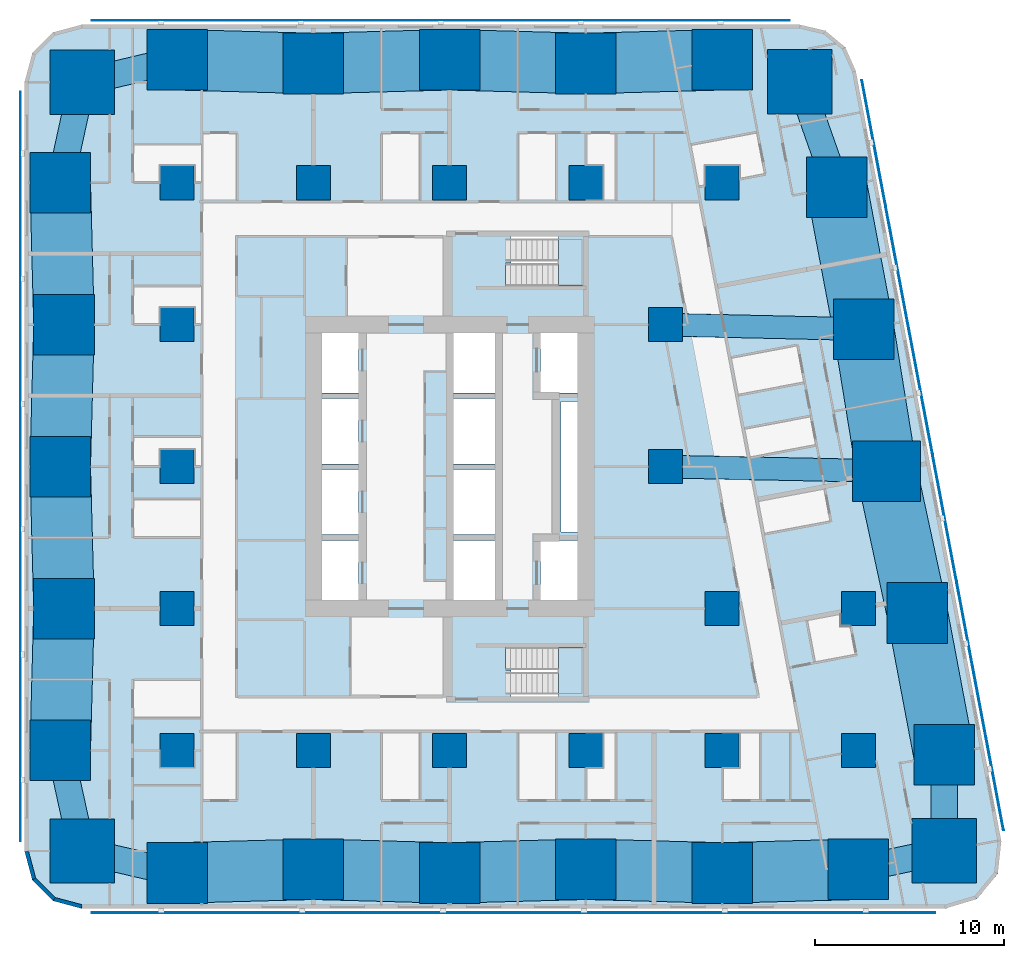
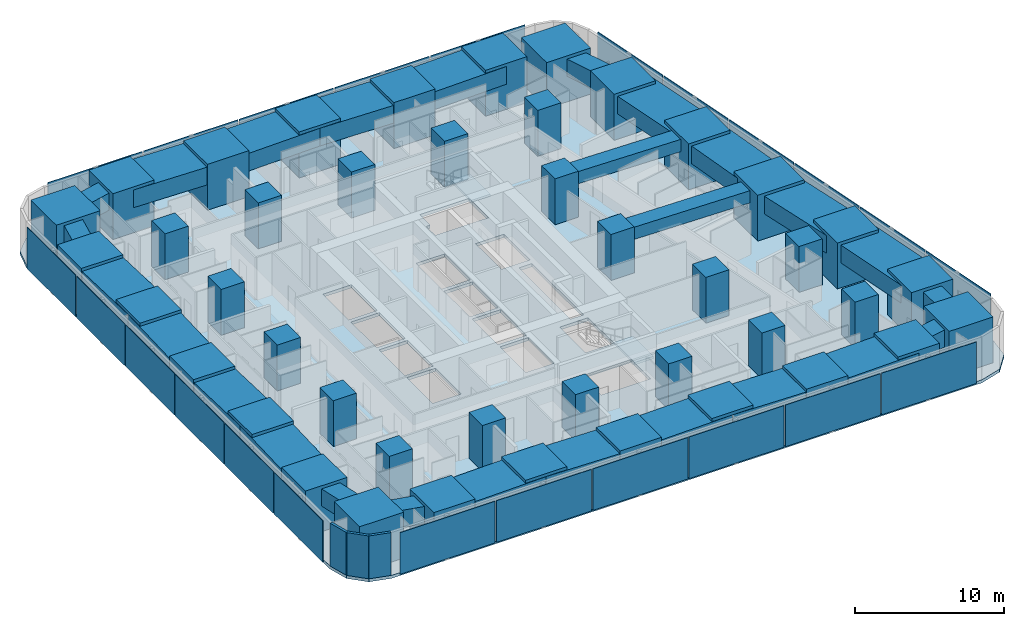
# One storey, part 1 of 17: 43 columns, 26 beams, 23 plates, 3 slabs, 3 walls, 2 elements without a shape of their own.
"""IFC4 building model written with IfcOpenShell, lengths in metres."""

from ifc_helpers import new_model, si_unit, direction, frame, frame_2d, origin, origin_2d, place, context, subcontext, project, spatial, polyline, rectangle, hollow_rectangle, outline, extrude, material, layer, layer_set, material_profile, profile_set, type_object, element, aggregate, save


model = new_model("IFC4")

# Units and contexts
model_context = context("Model", 3, precision=1e-05, world=origin(), true_north=direction((0.0, 1.0)))
body_context = subcontext(model_context, "Body", "Model", "MODEL_VIEW")
ifc_project = project(units=[si_unit("LENGTHUNIT", "METRE"), si_unit("AREAUNIT", "SQUARE_METRE"), si_unit("VOLUMEUNIT", "CUBIC_METRE"), si_unit("PLANEANGLEUNIT", "RADIAN"), si_unit("MASSUNIT", "GRAM", prefix="KILO")], contexts=[model_context])

# Site, building, storey
site_placement = place(None, origin())
site = spatial("IfcSite", under=ifc_project, at=site_placement, CompositionType="ELEMENT")
building_placement = place(site_placement, origin())
building = spatial("IfcBuilding", under=site, at=building_placement, Name="Sheger Commons Tower", CompositionType="ELEMENT")
storey_placement = place(building_placement, frame((0.0, 0.0, 23.75)))
storey = spatial("IfcBuildingStorey", under=building, at=storey_placement, Name="L05", CompositionType="ELEMENT", Elevation=23.75)

# Columns
ifc_material_1 = material(Name="Concrete C50/60", Category="concrete")
ifc_material_profile_1 = material_profile(ifc_material_1, rectangle(XDim=3.60009765625, YDim=3.199951171875, at=origin_2d()), Name="RC 3600x3200")
ifc_profile_set_1 = profile_set([ifc_material_profile_1], Name="Concrete C50/60")
column_type_1 = type_object("IfcColumnType", Name="COLUMN PIER RC 3600x3200", PredefinedType="COLUMN", material=ifc_profile_set_1)
column_placement = place(storey_placement, frame((44.697021484375, 22.262939453125, 0.0), z_axis=(0.0, 0.0, 1.0), x_axis=(1.0, 0.0, 0.0)))
element("IfcColumn", 1, at=column_placement, inside=storey, type_object=column_type_1, Name="Pier 7/D+E/D L05", PredefinedType="COLUMN", context=body_context, shape_type="SweptSolid", body=[
    extrude(rectangle(XDim=3.60009765625, YDim=3.199951171875, at=origin_2d()), origin(), (0.0, 0.0, 1.0), 3.75),
])
ifc_material_2 = material(Name="Concrete C50/60", Category="concrete")
ifc_material_profile_2 = material_profile(ifc_material_2, rectangle(XDim=1.800048828125, YDim=1.800048828125, at=origin_2d()), Name="RC 1800x1800")
ifc_profile_set_2 = profile_set([ifc_material_profile_2], Name="Concrete C50/60")
column_type_2 = type_object("IfcColumnType", Name="COLUMN RC 1800x1800", PredefinedType="COLUMN", material=ifc_profile_set_2)
for number, where, z_axis, x_axis, name in (
    (2, (7.199951171875, 7.5, 0.0), (0.0, 0.0, 1.0), (1.0, 0.0, 0.0), "Column 2/B L05"),
    (3, (14.39990234375, 7.5, 0.0), (0.0, 0.0, 1.0), (1.0, 0.0, 0.0), "Column 3/B L05"),
    (4, (21.60009765625, 7.5, 0.0), (0.0, 0.0, 1.0), (1.0, 0.0, 0.0), "Column 4/B L05"),
    (5, (28.800048828125, 7.5, 0.0), (0.0, 0.0, 1.0), (1.0, 0.0, 0.0), "Column 5/B L05"),
    (6, (36.0, 7.5, 0.0), (0.0, 0.0, 1.0), (1.0, 0.0, 0.0), "Column 6/B L05"),
    (7, (43.199951171875, 7.5, 0.0), (0.0, 0.0, 1.0), (1.0, 0.0, 0.0), "Column 7/B L05"),
    (8, (7.199951171875, 15.0, 0.0), (0.0, 0.0, 1.0), (1.0, 0.0, 0.0), "Column 2/C L05"),
    (9, (36.0, 15.0, 0.0), (0.0, 0.0, 1.0), (1.0, 0.0, 0.0), "Column 6/C L05"),
    (10, (43.199951171875, 15.0, 0.0), (0.0, 0.0, 1.0), (1.0, 0.0, 0.0), "Column 7/C L05"),
    (11, (7.199951171875, 22.5, 0.0), (0.0, 0.0, 1.0), (1.0, 0.0, 0.0), "Column 2/D L05"),
    (12, (33.0, 22.5, 0.0), (0.0, 0.0, 1.0), (1.0, 0.0, 0.0), "Column 6-3000/D L05"),
    (13, (7.199951171875, 30.0, 0.0), (0.0, 0.0, 1.0), (1.0, 0.0, 0.0), "Column 2/E L05"),
    (14, (33.0, 30.0, 0.0), (0.0, 0.0, 1.0), (1.0, 0.0, 0.0), "Column 6-3000/E L05"),
    (15, (7.199951171875, 37.5, 0.0), (0.0, 0.0, 1.0), (1.0, 0.0, 0.0), "Column 2/F L05"),
    (16, (14.39990234375, 37.5, 0.0), (0.0, 0.0, 1.0), (1.0, 0.0, 0.0), "Column 3/F L05"),
    (17, (21.60009765625, 37.5, 0.0), (0.0, 0.0, 1.0), (1.0, 0.0, 0.0), "Column 4/F L05"),
    (18, (28.800048828125, 37.5, 0.0), (0.0, 0.0, 1.0), (1.0, 0.0, 0.0), "Column 5/F L05"),
    (19, (36.0, 37.5, 0.0), (0.0, 0.0, 1.0), (1.0, 0.0, 0.0), "Column 6/F L05"),
):
    element("IfcColumn", number, at=place(storey_placement, frame(where, z_axis=z_axis, x_axis=x_axis)), inside=storey, type_object=column_type_2, Name=name, PredefinedType="COLUMN", context=body_context, shape_type="SweptSolid", body=[
        extrude(rectangle(XDim=1.800048828125, YDim=1.800048828125, at=origin_2d()), origin(), (0.0, 0.0, 1.0), 3.75),
    ])
ifc_material_3 = material(Name="Concrete C50/60", Category="concrete")
ifc_material_profile_3 = material_profile(ifc_material_3, rectangle(XDim=3.199951171875, YDim=3.199951171875, at=origin_2d()), Name="RC 3200x3200")
ifc_profile_set_3 = profile_set([ifc_material_profile_3], Name="Concrete C50/60")
column_type_3 = type_object("IfcColumnType", Name="COLUMN RC 3200x3200", PredefinedType="COLUMN", material=ifc_profile_set_3)
for number, where, z_axis, x_axis, name in (
    (20, (7.199951171875, 1.02490234375, 0.0), (0.0, 0.0, 1.0), (1.0, 0.0, 0.0), "Column 2/A L05"),
    (21, (14.39990234375, 1.22509765625, 0.0), (0.0, 0.0, 1.0), (1.0, 0.0, 0.0), "Column 3/A L05"),
    (22, (21.60009765625, 1.02490234375, 0.0), (0.0, 0.0, 1.0), (1.0, 0.0, 0.0), "Column 4/A L05"),
    (23, (28.800048828125, 1.22509765625, 0.0), (0.0, 0.0, 1.0), (1.0, 0.0, 0.0), "Column 5/A L05"),
    (24, (36.0, 1.02490234375, 0.0), (0.0, 0.0, 1.0), (1.0, 0.0, 0.0), "Column 6/A L05"),
    (25, (43.199951171875, 1.22509765625, 0.0), (0.0, 0.0, 1.0), (1.0, 0.0, 0.0), "Column 7/A L05"),
    (26, (1.02490234375, 7.5, 0.0), (0.0, 0.0, 1.0), (1.0, 0.0, 0.0), "Column 1/B L05"),
    (27, (47.72998046875, 7.262939453125, 0.0), (0.0, 0.0, 1.0), (1.0, 0.0, 0.0), "Column E/B L05"),
    (28, (1.22509765625, 15.0, 0.0), (0.0, 0.0, 1.0), (1.0, 0.0, 0.0), "Column 1/C L05"),
    (29, (46.31396484375, 14.762939453125, 0.0), (0.0, 0.0, 1.0), (1.0, 0.0, 0.0), "Column E/C L05"),
    (30, (1.02490234375, 22.5, 0.0), (0.0, 0.0, 1.0), (1.0, 0.0, 0.0), "Column 1/D L05"),
    (31, (1.22509765625, 30.0, 0.0), (0.0, 0.0, 1.0), (1.0, 0.0, 0.0), "Column 1/E L05"),
    (32, (43.47998046875, 29.762939453125, 0.0), (0.0, 0.0, 1.0), (1.0, 0.0, 0.0), "Column E/E L05"),
    (33, (1.02490234375, 37.5, 0.0), (0.0, 0.0, 1.0), (1.0, 0.0, 0.0), "Column 1/F L05"),
    (34, (42.06396484375, 37.262939453125, 0.0), (0.0, 0.0, 1.0), (1.0, 0.0, 0.0), "Column E/F L05"),
    (35, (7.199951171875, 44.0, 0.0), (0.0, 0.0, 1.0), (1.0, 0.0, 0.0), "Column 2/G L05"),
    (36, (14.39990234375, 43.800048828125, 0.0), (0.0, 0.0, 1.0), (1.0, 0.0, 0.0), "Column 3/G L05"),
    (37, (21.60009765625, 44.0, 0.0), (0.0, 0.0, 1.0), (1.0, 0.0, 0.0), "Column 4/G L05"),
    (38, (28.800048828125, 43.800048828125, 0.0), (0.0, 0.0, 1.0), (1.0, 0.0, 0.0), "Column 5/G L05"),
    (39, (36.0, 44.0, 0.0), (0.0, 0.0, 1.0), (1.0, 0.0, 0.0), "Column 6/G L05"),
):
    element("IfcColumn", number, at=place(storey_placement, frame(where, z_axis=z_axis, x_axis=x_axis)), inside=storey, type_object=column_type_3, Name=name, PredefinedType="COLUMN", context=body_context, shape_type="SweptSolid", body=[
        extrude(rectangle(XDim=3.199951171875, YDim=3.199951171875, at=origin_2d()), origin(), (0.0, 0.0, 1.0), 3.75),
    ])
ifc_material_4 = material(Name="Concrete C50/60", Category="concrete")
ifc_material_profile_4 = material_profile(ifc_material_4, rectangle(XDim=3.39990234375, YDim=3.39990234375, at=origin_2d()), Name="RC 3400x3400")
ifc_profile_set_4 = profile_set([ifc_material_profile_4], Name="Concrete C50/60")
column_type_4 = type_object("IfcColumnType", Name="COLUMN RC 3400x3400", PredefinedType="COLUMN", material=ifc_profile_set_4)
for number, where, z_axis, x_axis, name in (
    (40, (2.18603515625, 2.18603515625, 0.0), (0.0, 0.0, 1.0), (1.0, 0.0, 0.0), "Column 0.630,0.630 L05"),
    (41, (47.748046875, 2.197021484375, 0.0), (0.0, 0.0, 1.0), (1.0, 0.0, 0.0), "Column 49.461,0.778 L05"),
    (42, (2.18603515625, 42.81396484375, 0.0), (0.0, 0.0, 1.0), (1.0, 0.0, 0.0), "Column 0.630,44.370 L05"),
    (43, (40.10205078125, 42.830078125, 0.0), (0.0, 0.0, 1.0), (1.0, 0.0, 0.0), "Column 41.490,44.505 L05"),
):
    element("IfcColumn", number, at=place(storey_placement, frame(where, z_axis=z_axis, x_axis=x_axis)), inside=storey, type_object=column_type_4, Name=name, PredefinedType="COLUMN", context=body_context, shape_type="SweptSolid", body=[
        extrude(rectangle(XDim=3.39990234375, YDim=3.39990234375, at=origin_2d()), origin(), (0.0, 0.0, 1.0), 3.75),
    ])

# Beams
ifc_material_5 = material(Name="Concrete C50/60", Category="concrete")
ifc_material_profile_5 = material_profile(ifc_material_5, rectangle(XDim=1.199951171875, YDim=1.0, at=origin_2d()), Name="RC 1200x1000")
ifc_profile_set_5 = profile_set([ifc_material_profile_5], Name="Concrete C50/60")
beam_type_1 = type_object("IfcBeamType", Name="BEAM RC 1200x1000", PredefinedType="BEAM", material=ifc_profile_set_5)
beam_1_placement = place(storey_placement, frame((33.0, 22.5, 3.0), z_axis=(0.999794692776, -0.02026258368, 0.0), x_axis=(0.02026258368, 0.999794692776, 0.0)))
element("IfcBeam", 44, at=beam_1_placement, inside=storey, type_object=beam_type_1, Name="Beam 6-3000/D-7/D under L06", PredefinedType="BEAM", context=body_context, shape_type="SweptSolid", body=[
    extrude(rectangle(XDim=1.199951171875, YDim=1.0, at=origin_2d()), origin(), (0.0, 0.0, 1.0), 11.699462890625),
])
beam_2_placement = place(storey_placement, frame((33.0, 30.0, 3.0), z_axis=(0.999744258625, -0.022614538395, 0.0), x_axis=(0.022614538395, 0.999744258625, 0.0)))
element("IfcBeam", 45, at=beam_2_placement, inside=storey, type_object=beam_type_1, Name="Beam 6-3000/E-E/E under L06", PredefinedType="BEAM", context=body_context, shape_type="SweptSolid", body=[
    extrude(rectangle(XDim=1.199951171875, YDim=1.0, at=origin_2d()), origin(), (0.0, 0.0, 1.0), 10.482666015625),
])
ifc_material_6 = material(Name="Concrete C50/60", Category="concrete")
ifc_material_profile_6 = material_profile(ifc_material_6, rectangle(XDim=3.199951171875, YDim=1.449951171875, at=origin_2d()), Name="RC 3200x1450")
ifc_profile_set_6 = profile_set([ifc_material_profile_6], Name="Concrete C50/60")
beam_type_2 = type_object("IfcBeamType", Name="SPANDREL RC 3200x1450", PredefinedType="SPANDREL", material=ifc_profile_set_6)
beam_3_placement = place(storey_placement, frame((7.199951171875, 1.02490234375, 2.77490234375), z_axis=(0.9996136624, 0.027794350926, 0.0), x_axis=(-0.027794350926, 0.9996136624, 0.0)))
element("IfcBeam", 46, at=beam_3_placement, inside=storey, type_object=beam_type_2, Name="Beam 2/A-3/A under L06", PredefinedType="SPANDREL", context=body_context, shape_type="SweptSolid", body=[
    extrude(rectangle(XDim=3.199951171875, YDim=1.449951171875, at=origin_2d()), origin(), (0.0, 0.0, 1.0), 7.20263671875),
])
beam_4_placement = place(storey_placement, frame((14.39990234375, 1.22509765625, 2.77490234375), z_axis=(0.999613688584, -0.027793409217, 0.0), x_axis=(0.027793409217, 0.999613688584, 0.0)))
element("IfcBeam", 47, at=beam_4_placement, inside=storey, type_object=beam_type_2, Name="Beam 3/A-4/A under L06", PredefinedType="SPANDREL", context=body_context, shape_type="SweptSolid", body=[
    extrude(rectangle(XDim=3.199951171875, YDim=1.449951171875, at=origin_2d()), origin(), (0.0, 0.0, 1.0), 7.202880859375),
])
for number, where, z_axis, x_axis, name in (
    (48, (21.60009765625, 1.02490234375, 2.77490234375), (0.9996136624, 0.027794350926, 0.0), (-0.027794350926, 0.9996136624, 0.0), "Beam 4/A-5/A under L06"),
    (49, (28.800048828125, 1.22509765625, 2.77490234375), (0.9996136624, -0.027794350926, 0.0), (0.027794350926, 0.9996136624, 0.0), "Beam 5/A-6/A under L06"),
    (50, (36.0, 1.02490234375, 2.77490234375), (0.9996136624, 0.027794350926, 0.0), (-0.027794350926, 0.9996136624, 0.0), "Beam 6/A-7/A under L06"),
):
    element("IfcBeam", number, at=place(storey_placement, frame(where, z_axis=z_axis, x_axis=x_axis)), inside=storey, type_object=beam_type_2, Name=name, PredefinedType="SPANDREL", context=body_context, shape_type="SweptSolid", body=[
        extrude(rectangle(XDim=3.199951171875, YDim=1.449951171875, at=origin_2d()), origin(), (0.0, 0.0, 1.0), 7.20263671875),
    ])
beam_5_placement = place(storey_placement, frame((47.72998046875, 7.262939453125, 2.77490234375), z_axis=(-0.18552441405, 0.982639655108, 0.0), x_axis=(-0.982639655108, -0.18552441405, 0.0)))
element("IfcBeam", 51, at=beam_5_placement, inside=storey, type_object=beam_type_2, Name="Beam E/B-E/C under L06", PredefinedType="SPANDREL", context=body_context, shape_type="SweptSolid", body=[
    extrude(rectangle(XDim=3.199951171875, YDim=1.449951171875, at=origin_2d()), origin(), (0.0, 0.0, 1.0), 7.632568359375),
])
beam_6_placement = place(storey_placement, frame((46.31396484375, 14.762939453125, 2.77490234375), z_axis=(-0.210750229323, 0.977539943348, 0.0), x_axis=(-0.977539943348, -0.210750229323, 0.0)))
element("IfcBeam", 52, at=beam_6_placement, inside=storey, type_object=beam_type_2, Name="Beam E/C-E/D under L06", PredefinedType="SPANDREL", context=body_context, shape_type="SweptSolid", body=[
    extrude(rectangle(XDim=3.199951171875, YDim=1.449951171875, at=origin_2d()), origin(), (0.0, 0.0, 1.0), 7.67236328125),
])
beam_7_placement = place(storey_placement, frame((44.697021484375, 22.262939453125, 2.77490234375), z_axis=(-0.160176929512, 0.987088319884, 0.0), x_axis=(-0.987088319884, -0.160176929512, 0.0)))
element("IfcBeam", 53, at=beam_7_placement, inside=storey, type_object=beam_type_2, Name="Beam E/D-E/E under L06", PredefinedType="SPANDREL", context=body_context, shape_type="SweptSolid", body=[
    extrude(rectangle(XDim=3.199951171875, YDim=1.449951171875, at=origin_2d()), origin(), (0.0, 0.0, 1.0), 7.59814453125),
])
beam_8_placement = place(storey_placement, frame((43.47998046875, 29.762939453125, 2.77490234375), z_axis=(-0.18552441405, 0.982639655108, 0.0), x_axis=(-0.982639655108, -0.18552441405, 0.0)))
element("IfcBeam", 54, at=beam_8_placement, inside=storey, type_object=beam_type_2, Name="Beam E/E-E/F under L06", PredefinedType="SPANDREL", context=body_context, shape_type="SweptSolid", body=[
    extrude(rectangle(XDim=3.199951171875, YDim=1.449951171875, at=origin_2d()), origin(), (0.0, 0.0, 1.0), 7.632568359375),
])
for number, where, z_axis, x_axis, name in (
    (55, (36.0, 44.0, 2.77490234375), (-0.999614603568, -0.027760481514, 0.0), (0.027760481514, -0.999614603568, 0.0), "Beam 6/G-5/G under L06"),
    (56, (28.800048828125, 43.800048828125, 2.77490234375), (-0.999614603568, 0.027760481514, 0.0), (-0.027760481514, -0.999614603568, 0.0), "Beam 5/G-4/G under L06"),
):
    element("IfcBeam", number, at=place(storey_placement, frame(where, z_axis=z_axis, x_axis=x_axis)), inside=storey, type_object=beam_type_2, Name=name, PredefinedType="SPANDREL", context=body_context, shape_type="SweptSolid", body=[
        extrude(rectangle(XDim=3.199951171875, YDim=1.449951171875, at=origin_2d()), origin(), (0.0, 0.0, 1.0), 7.20263671875),
    ])
beam_9_placement = place(storey_placement, frame((21.60009765625, 44.0, 2.77490234375), z_axis=(-0.999614629688, -0.027759540951, 0.0), x_axis=(0.027759540951, -0.999614629688, 0.0)))
element("IfcBeam", 57, at=beam_9_placement, inside=storey, type_object=beam_type_2, Name="Beam 4/G-3/G under L06", PredefinedType="SPANDREL", context=body_context, shape_type="SweptSolid", body=[
    extrude(rectangle(XDim=3.199951171875, YDim=1.449951171875, at=origin_2d()), origin(), (0.0, 0.0, 1.0), 7.202880859375),
])
beam_10_placement = place(storey_placement, frame((14.39990234375, 43.800048828125, 2.77490234375), z_axis=(-0.999614603568, 0.027760481514, 0.0), x_axis=(-0.027760481514, -0.999614603568, 0.0)))
element("IfcBeam", 58, at=beam_10_placement, inside=storey, type_object=beam_type_2, Name="Beam 3/G-2/G under L06", PredefinedType="SPANDREL", context=body_context, shape_type="SweptSolid", body=[
    extrude(rectangle(XDim=3.199951171875, YDim=1.449951171875, at=origin_2d()), origin(), (0.0, 0.0, 1.0), 7.20263671875),
])
for number, where, z_axis, x_axis, name in (
    (59, (1.02490234375, 37.5, 2.77490234375), (0.026683204125, -0.999643939919, 0.0), (0.999643939919, 0.026683204125, 0.0), "Beam 1/F-1/E under L06"),
    (60, (1.22509765625, 30.0, 2.77490234375), (-0.026683204125, -0.999643939919, 0.0), (0.999643939919, -0.026683204125, 0.0), "Beam 1/E-1/D under L06"),
    (61, (1.02490234375, 22.5, 2.77490234375), (0.026683204125, -0.999643939919, 0.0), (0.999643939919, 0.026683204125, 0.0), "Beam 1/D-1/C under L06"),
    (62, (1.22509765625, 15.0, 2.77490234375), (-0.026683204125, -0.999643939919, 0.0), (0.999643939919, -0.026683204125, 0.0), "Beam 1/C-1/B under L06"),
):
    element("IfcBeam", number, at=place(storey_placement, frame(where, z_axis=z_axis, x_axis=x_axis)), inside=storey, type_object=beam_type_2, Name=name, PredefinedType="SPANDREL", context=body_context, shape_type="SweptSolid", body=[
        extrude(rectangle(XDim=3.199951171875, YDim=1.449951171875, at=origin_2d()), origin(), (0.0, 0.0, 1.0), 7.502685546875),
    ])
ifc_material_7 = material(Name="Steel S355", Category="steel")
ifc_material_profile_7 = material_profile(ifc_material_7, hollow_rectangle(XDim=1.39990234375, YDim=1.39990234375, WallThickness=0.10009765625, at=origin_2d()), Name="BOX 1400x1400x100")
ifc_profile_set_7 = profile_set([ifc_material_profile_7], Name="Steel S355")
beam_type_3 = type_object("IfcBeamType", Name="STEEL SPANDREL BOX 1400x1400x100", PredefinedType="SPANDREL", material=ifc_profile_set_7)
beam_11_placement = place(storey_placement, frame((2.18603515625, 2.18603515625, 2.800048828125), z_axis=(0.974217413499, -0.225611239159, 0.0), x_axis=(0.225611239159, 0.974217413499, 0.0)))
element("IfcBeam", 63, at=beam_11_placement, inside=storey, type_object=beam_type_3, Name="Beam 0.630,0.630-2/A under L06", PredefinedType="SPANDREL", context=body_context, shape_type="SweptSolid", body=[
    extrude(hollow_rectangle(XDim=1.39990234375, YDim=1.39990234375, WallThickness=0.10009765625, at=origin_2d()), origin(), (0.0, 0.0, 1.0), 5.146728515625),
])
beam_12_placement = place(storey_placement, frame((43.199951171875, 1.22509765625, 2.800048828125), z_axis=(0.977919796671, 0.208980552394, 0.0), x_axis=(-0.208980552394, 0.977919796671, 0.0)))
element("IfcBeam", 64, at=beam_12_placement, inside=storey, type_object=beam_type_3, Name="Beam 7/A-49.461,0.778 under L06", PredefinedType="SPANDREL", context=body_context, shape_type="SweptSolid", body=[
    extrude(hollow_rectangle(XDim=1.39990234375, YDim=1.39990234375, WallThickness=0.10009765625, at=origin_2d()), origin(), (0.0, 0.0, 1.0), 4.65087890625),
])
beam_13_placement = place(storey_placement, frame((47.748046875, 2.197021484375, 2.800048828125), z_axis=(-0.003566242382, 0.999993640937, 0.0), x_axis=(-0.999993640937, -0.003566242382, 0.0)))
element("IfcBeam", 65, at=beam_13_placement, inside=storey, type_object=beam_type_3, Name="Beam 49.461,0.778-E/B under L06", PredefinedType="SPANDREL", context=body_context, shape_type="SweptSolid", body=[
    extrude(hollow_rectangle(XDim=1.39990234375, YDim=1.39990234375, WallThickness=0.10009765625, at=origin_2d()), origin(), (0.0, 0.0, 1.0), 5.06591796875),
])
beam_14_placement = place(storey_placement, frame((42.06396484375, 37.262939453125, 2.800048828125), z_axis=(-0.332374403357, 0.943147526102, 0.0), x_axis=(-0.943147526102, -0.332374403357, 0.0)))
element("IfcBeam", 66, at=beam_14_placement, inside=storey, type_object=beam_type_3, Name="Beam E/F-41.490,44.505 under L06", PredefinedType="SPANDREL", context=body_context, shape_type="SweptSolid", body=[
    extrude(hollow_rectangle(XDim=1.39990234375, YDim=1.39990234375, WallThickness=0.10009765625, at=origin_2d()), origin(), (0.0, 0.0, 1.0), 5.90283203125),
])
beam_15_placement = place(storey_placement, frame((7.199951171875, 44.0, 2.800048828125), z_axis=(-0.97314428949, -0.230195985701, 0.0), x_axis=(0.230195985701, -0.97314428949, 0.0)))
element("IfcBeam", 67, at=beam_15_placement, inside=storey, type_object=beam_type_3, Name="Beam 2/G-0.630,44.370 under L06", PredefinedType="SPANDREL", context=body_context, shape_type="SweptSolid", body=[
    extrude(hollow_rectangle(XDim=1.39990234375, YDim=1.39990234375, WallThickness=0.10009765625, at=origin_2d()), origin(), (0.0, 0.0, 1.0), 5.15234375),
])
for number, where, z_axis, x_axis, name in (
    (68, (2.18603515625, 42.81396484375, 2.800048828125), (-0.213469314652, -0.976949769283, 0.0), (0.976949769283, -0.213469314652, 0.0), "Beam 0.630,44.370-1/F under L06"),
    (69, (1.02490234375, 7.5, 2.800048828125), (0.213469314652, -0.976949769283, 0.0), (0.976949769283, 0.213469314652, 0.0), "Beam 1/B-0.630,0.630 under L06"),
):
    element("IfcBeam", number, at=place(storey_placement, frame(where, z_axis=z_axis, x_axis=x_axis)), inside=storey, type_object=beam_type_3, Name=name, PredefinedType="SPANDREL", context=body_context, shape_type="SweptSolid", body=[
        extrude(hollow_rectangle(XDim=1.39990234375, YDim=1.39990234375, WallThickness=0.10009765625, at=origin_2d()), origin(), (0.0, 0.0, 1.0), 5.439453125),
    ])

# Slab
ifc_material_8 = material(Name="Concrete C35/45", Category="concrete")
ifc_layer_1 = layer(ifc_material_8, 0.25)
ifc_layer_set_1 = layer_set([ifc_layer_1], Name="SLAB FLOOR 250")
slab_type_1 = type_object("IfcSlabType", Name="SLAB FLOOR 250", PredefinedType="FLOOR", material=ifc_layer_set_1)
slab_1_placement = place(storey_placement, frame((0.0, 0.0, -0.25)))
element("IfcSlab", 70, at=slab_1_placement, inside=storey, type_object=slab_type_1, Name="L05 floor slab", PredefinedType="FLOOR", context=body_context, shape_type="SweptSolid", body=[
    extrude(outline(polyline([(-0.85009765625, 2.14990234375), (-0.447998046875, 0.64990234375), (0.64990234375, -0.447998046875), (2.14990234375, -0.85009765625), (47.805908203125, -0.85009765625), (49.465087890625, -0.35009765625), (50.570068359375, 0.98388671875), (50.75390625, 2.70703125), (43.06591796875, 43.406982421875), (42.509033203125, 44.660888671875), (41.452880859375, 45.535888671875), (40.117919921875, 45.85009765625), (2.14990234375, 45.85009765625), (0.64990234375, 45.447998046875), (-0.447998046875, 44.35009765625), (-0.85009765625, 42.85009765625), (-0.85009765625, 2.14990234375)]), holes=[polyline([(24.85009765625, 10.35009765625), (28.64990234375, 10.35009765625), (28.64990234375, 12.949951171875), (24.551025390625, 12.949951171875), (24.551025390625, 11.75), (24.85009765625, 11.75), (24.85009765625, 10.35009765625)]), polyline([(24.551025390625, 32.050048828125), (28.64990234375, 32.050048828125), (28.64990234375, 34.64990234375), (24.85009765625, 34.64990234375), (24.85009765625, 33.25), (24.551025390625, 33.25), (24.551025390625, 32.050048828125)]), polyline([(26.39990234375, 15.14990234375), (28.60009765625, 15.14990234375), (28.60009765625, 18.60009765625), (26.39990234375, 18.60009765625), (26.39990234375, 15.14990234375)]), polyline([(26.39990234375, 26.39990234375), (28.60009765625, 26.39990234375), (28.60009765625, 29.85009765625), (26.39990234375, 29.85009765625), (26.39990234375, 26.39990234375)]), polyline([(14.60009765625, 15.14990234375), (16.800048828125, 15.14990234375), (16.800048828125, 18.60009765625), (14.60009765625, 18.60009765625), (14.60009765625, 15.14990234375)]), polyline([(14.60009765625, 18.89990234375), (16.800048828125, 18.89990234375), (16.800048828125, 22.35009765625), (14.60009765625, 22.35009765625), (14.60009765625, 18.89990234375)]), polyline([(14.60009765625, 22.64990234375), (16.800048828125, 22.64990234375), (16.800048828125, 26.10009765625), (14.60009765625, 26.10009765625), (14.60009765625, 22.64990234375)]), polyline([(14.60009765625, 26.39990234375), (16.800048828125, 26.39990234375), (16.800048828125, 29.85009765625), (14.60009765625, 29.85009765625), (14.60009765625, 26.39990234375)]), polyline([(21.800048828125, 15.14990234375), (24.0, 15.14990234375), (24.0, 18.60009765625), (21.800048828125, 18.60009765625), (21.800048828125, 15.14990234375)]), polyline([(21.800048828125, 18.89990234375), (24.0, 18.89990234375), (24.0, 22.35009765625), (21.800048828125, 22.35009765625), (21.800048828125, 18.89990234375)]), polyline([(21.800048828125, 22.64990234375), (24.0, 22.64990234375), (24.0, 26.10009765625), (21.800048828125, 26.10009765625), (21.800048828125, 22.64990234375)]), polyline([(21.800048828125, 26.39990234375), (24.0, 26.39990234375), (24.0, 29.85009765625), (21.800048828125, 29.85009765625), (21.800048828125, 26.39990234375)]), polyline([(27.5, 19.050048828125), (28.5, 19.050048828125), (28.5, 25.949951171875), (27.5, 25.949951171875), (27.5, 19.050048828125)])]), origin(), (0.0, 0.0, 1.0), 0.25),
])

# Plates
ifc_material_9 = material(Name="Perforated black anodised aluminium screen", Category="aluminium")
ifc_layer_2 = layer(ifc_material_9, 0.050048828125)
ifc_layer_set_2 = layer_set([ifc_layer_2], Name="SOLAR SCREEN SCREEN-1")
plate_type = type_object("IfcPlateType", Name="SOLAR SCREEN SCREEN-1", PredefinedType="USERDEFINED", material=ifc_layer_set_2)
for number, where, z_axis, x_axis, name in (
    (71, (6.37109375, -1.074951171875, 0.050048828125), (0.0, 0.0, 1.0), (1.0, 0.0, 0.0), "Perforated solar screen panel"),
    (72, (13.81396484375, -1.074951171875, 0.050048828125), (0.0, 0.0, 1.0), (1.0, 0.0, 0.0), "Perforated solar screen panel"),
    (73, (21.257080078125, -1.074951171875, 0.050048828125), (0.0, 0.0, 1.0), (1.0, 0.0, 0.0), "Perforated solar screen panel"),
    (74, (28.698974609375, -1.074951171875, 0.050048828125), (0.0, 0.0, 1.0), (1.0, 0.0, 0.0), "Perforated solar screen panel"),
    (75, (36.14208984375, -1.074951171875, 0.050048828125), (0.0, 0.0, 1.0), (1.0, 0.0, 0.0), "Perforated solar screen panel"),
    (76, (43.5849609375, -1.074951171875, 0.050048828125), (0.0, 0.0, 1.0), (1.0, 0.0, 0.0), "Perforated solar screen panel"),
):
    element("IfcPlate", number, at=place(storey_placement, frame(where, z_axis=z_axis, x_axis=x_axis)), inside=storey, type_object=plate_type, Name=name, ObjectType="SCREEN", PredefinedType="USERDEFINED", context=body_context, shape_type="SweptSolid", body=[
        extrude(rectangle(XDim=7.343017578125, YDim=0.050048828125, at=origin_2d()), origin(), (0.0, 0.0, 1.0), 3.39990234375),
    ])
for number, where, z_axis, x_axis, name in (
    (77, (50.257080078125, 6.550048828125, 0.050048828125), (0.0, 0.0, 1.0), (-0.185615165645, 0.982622516678, 0.0), "Perforated solar screen panel"),
    (78, (49.007080078125, 13.1689453125, 0.050048828125), (0.0, 0.0, 1.0), (-0.185615165645, 0.982622516678, 0.0), "Perforated solar screen panel"),
    (79, (47.756103515625, 19.7890625, 0.050048828125), (0.0, 0.0, 1.0), (-0.185615165645, 0.982622516678, 0.0), "Perforated solar screen panel"),
    (80, (46.506103515625, 26.408935546875, 0.050048828125), (0.0, 0.0, 1.0), (-0.185615165645, 0.982622516678, 0.0), "Perforated solar screen panel"),
    (81, (45.2548828125, 33.028076171875, 0.050048828125), (0.0, 0.0, 1.0), (-0.185615165645, 0.982622516678, 0.0), "Perforated solar screen panel"),
    (82, (44.0048828125, 39.64794921875, 0.050048828125), (0.0, 0.0, 1.0), (-0.185615165645, 0.982622516678, 0.0), "Perforated solar screen panel"),
):
    element("IfcPlate", number, at=place(storey_placement, frame(where, z_axis=z_axis, x_axis=x_axis)), inside=storey, type_object=plate_type, Name=name, ObjectType="SCREEN", PredefinedType="USERDEFINED", context=body_context, shape_type="SweptSolid", body=[
        extrude(rectangle(XDim=6.636962890625, YDim=0.050048828125, at=origin_2d()), origin(), (0.0, 0.0, 1.0), 3.39990234375),
    ])
for number, where, z_axis, x_axis, name in (
    (83, (35.9208984375, 46.074951171875, 0.050048828125), (0.0, 0.0, 1.0), (-1.0, 0.0, 0.0), "Perforated solar screen panel"),
    (84, (28.528076171875, 46.074951171875, 0.050048828125), (0.0, 0.0, 1.0), (-1.0, 0.0, 0.0), "Perforated solar screen panel"),
    (85, (21.134033203125, 46.074951171875, 0.050048828125), (0.0, 0.0, 1.0), (-1.0, 0.0, 0.0), "Perforated solar screen panel"),
    (86, (13.739990234375, 46.074951171875, 0.050048828125), (0.0, 0.0, 1.0), (-1.0, 0.0, 0.0), "Perforated solar screen panel"),
    (87, (6.346923828125, 46.074951171875, 0.050048828125), (0.0, 0.0, 1.0), (-1.0, 0.0, 0.0), "Perforated solar screen panel"),
):
    element("IfcPlate", number, at=place(storey_placement, frame(where, z_axis=z_axis, x_axis=x_axis)), inside=storey, type_object=plate_type, Name=name, ObjectType="SCREEN", PredefinedType="USERDEFINED", context=body_context, shape_type="SweptSolid", body=[
        extrude(rectangle(XDim=7.2939453125, YDim=0.050048828125, at=origin_2d()), origin(), (0.0, 0.0, 1.0), 3.39990234375),
    ])
for number, where, z_axis, x_axis, name in (
    (88, (-1.074951171875, 39.0419921875, 0.050048828125), (0.0, 0.0, 1.0), (0.0, -1.0, 0.0), "Perforated solar screen panel"),
    (89, (-1.074951171875, 32.425048828125, 0.050048828125), (0.0, 0.0, 1.0), (0.0, -1.0, 0.0), "Perforated solar screen panel"),
    (90, (-1.074951171875, 25.80810546875, 0.050048828125), (0.0, 0.0, 1.0), (0.0, -1.0, 0.0), "Perforated solar screen panel"),
    (91, (-1.074951171875, 19.19189453125, 0.050048828125), (0.0, 0.0, 1.0), (0.0, -1.0, 0.0), "Perforated solar screen panel"),
    (92, (-1.074951171875, 12.574951171875, 0.050048828125), (0.0, 0.0, 1.0), (0.0, -1.0, 0.0), "Perforated solar screen panel"),
    (93, (-1.074951171875, 5.9580078125, 0.050048828125), (0.0, 0.0, 1.0), (0.0, -1.0, 0.0), "Perforated solar screen panel"),
):
    element("IfcPlate", number, at=place(storey_placement, frame(where, z_axis=z_axis, x_axis=x_axis)), inside=storey, type_object=plate_type, Name=name, ObjectType="SCREEN", PredefinedType="USERDEFINED", context=body_context, shape_type="SweptSolid", body=[
        extrude(rectangle(XDim=6.51708984375, YDim=0.050048828125, at=origin_2d()), origin(), (0.0, 0.0, 1.0), 3.39990234375),
    ])

# Stair, slab
ifc_material_10 = material(Name="Concrete C35/45", Category="concrete")
stair_type = type_object("IfcStairType", Name="HALF-TURN STAIR 1200 RISE 3750", PredefinedType="HALF_TURN_STAIR", material=ifc_material_10)
stair_1_placement = place(storey_placement, origin())
stair_1 = element("IfcStair", 94, at=stair_1_placement, inside=storey, type_object=stair_type, Name="Stair S1 L05", PredefinedType="HALF_TURN_STAIR")
ifc_material_11 = material(Name="Concrete C35/45", Category="concrete")
ifc_layer_3 = layer(ifc_material_11, 0.199951171875)
ifc_layer_set_3 = layer_set([ifc_layer_3], Name="STAIR LANDING 200")
slab_type_2 = type_object("IfcSlabType", Name="STAIR LANDING 200", PredefinedType="LANDING", material=ifc_layer_set_3)
slab_2_placement = place(storey_placement, frame((0.0, 0.0, 1.675048828125)))
slab_2 = element("IfcSlab", 95, at=slab_2_placement, type_object=slab_type_2, Name="S1 landing 1", PredefinedType="LANDING", context=body_context, shape_type="SweptSolid", body=[
    extrude(outline(polyline([(27.35009765625, 10.199951171875), (28.800048828125, 10.199951171875), (28.800048828125, 12.949951171875), (27.35009765625, 12.949951171875), (27.35009765625, 10.199951171875)])), origin(), (0.0, 0.0, 1.0), 0.199951171875),
])
aggregate(stair_1, [slab_2])

stair_2_placement = place(storey_placement, origin())
stair_2 = element("IfcStair", 96, at=stair_2_placement, inside=storey, type_object=stair_type, Name="Stair S2 L05", PredefinedType="HALF_TURN_STAIR")
slab_3_placement = place(storey_placement, frame((0.0, 0.0, 1.675048828125)))
slab_3 = element("IfcSlab", 97, at=slab_3_placement, type_object=slab_type_2, Name="S2 landing 1", PredefinedType="LANDING", context=body_context, shape_type="SweptSolid", body=[
    extrude(outline(polyline([(27.35009765625, 32.050048828125), (28.800048828125, 32.050048828125), (28.800048828125, 34.800048828125), (27.35009765625, 34.800048828125), (27.35009765625, 32.050048828125)])), origin(), (0.0, 0.0, 1.0), 0.199951171875),
])
aggregate(stair_2, [slab_3])

# Walls
ifc_material_12 = material(Name="Rendered concrete block masonry, dark grey", Category="masonry")
ifc_layer_4 = layer(ifc_material_12, 0.199951171875)
ifc_layer_set_4 = layer_set([ifc_layer_4], Name="FACADE WALL 200")
wall_type = type_object("IfcWallType", Name="FACADE WALL 200", PredefinedType="SOLIDWALL", material=ifc_layer_set_4)
wall_1_placement = place(storey_placement, frame((-0.75, 2.1630859375, 0.0), z_axis=(0.0, 0.0, 1.0), x_axis=(0.259168954497, -0.965832000415, 0.0)))
element("IfcWall", 98, at=wall_1_placement, inside=storey, type_object=wall_type, Name="Facade wall L05", PredefinedType="SOLIDWALL", context=body_context, shape_type="SweptSolid", body=[
    extrude(rectangle(XDim=1.512939453125, YDim=0.199951171875, at=frame_2d((0.75634765625, 0.0))), origin(), (0.0, 0.0, 1.0), 3.5),
])
wall_2_placement = place(storey_placement, frame((-0.35791015625, 0.701904296875, 0.0), z_axis=(0.0, 0.0, 1.0), x_axis=(0.707106781187, -0.707106781187, 0.0)))
element("IfcWall", 99, at=wall_2_placement, inside=storey, type_object=wall_type, Name="Facade wall L05", PredefinedType="SOLIDWALL", context=body_context, shape_type="SweptSolid", body=[
    extrude(rectangle(XDim=1.498779296875, YDim=0.199951171875, at=frame_2d((0.74951171875, 0.0))), origin(), (0.0, 0.0, 1.0), 3.5),
])
wall_3_placement = place(storey_placement, frame((0.701904296875, -0.35791015625, 0.0), z_axis=(0.0, 0.0, 1.0), x_axis=(0.965832000415, -0.259168954497, 0.0)))
element("IfcWall", 100, at=wall_3_placement, inside=storey, type_object=wall_type, Name="Facade wall L05", PredefinedType="SOLIDWALL", context=body_context, shape_type="SweptSolid", body=[
    extrude(rectangle(XDim=1.512939453125, YDim=0.199951171875, at=frame_2d((0.75634765625, 0.0))), origin(), (0.0, 0.0, 1.0), 3.5),
])

save(model, "model.ifc")
